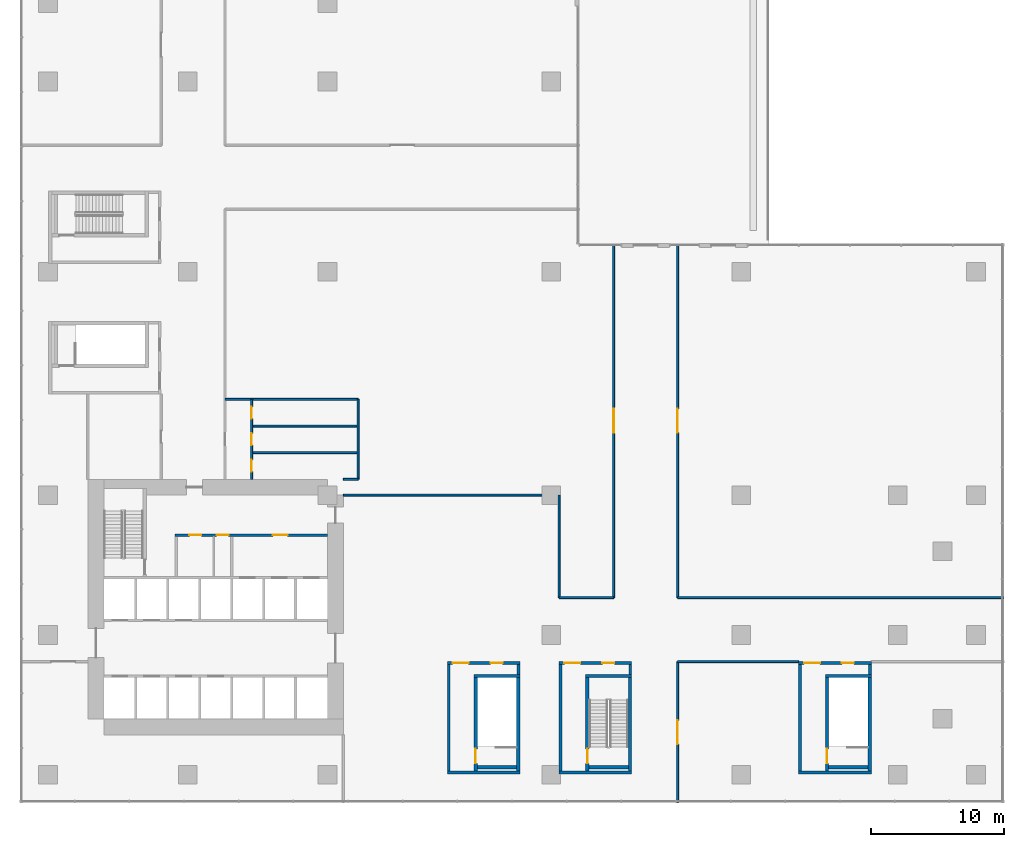
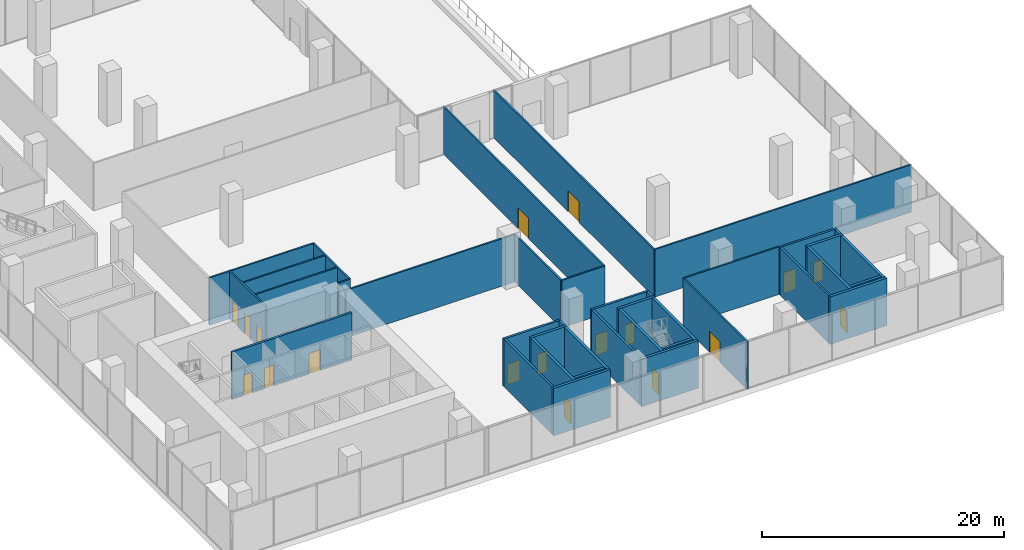
# One storey, part 14 of 21: 39 walls, 18 doors, 18 openings.
"""IFC4 building model written with IfcOpenShell, lengths in metres."""

from ifc_helpers import new_model, si_unit, direction, frame, frame_2d, origin, place, context, subcontext, project, spatial, rectangle, extrude, source, transform, mapped, material, layer, layer_set, type_object, element, fill, save


model = new_model("IFC4")

# Units and contexts
model_context = context("Model", 3, precision=1e-05, world=origin(), true_north=direction((0.0, 1.0)))
body_context = subcontext(model_context, "Body", "Model", "MODEL_VIEW")
ifc_project = project(units=[si_unit("LENGTHUNIT", "METRE"), si_unit("AREAUNIT", "SQUARE_METRE"), si_unit("VOLUMEUNIT", "CUBIC_METRE"), si_unit("PLANEANGLEUNIT", "RADIAN"), si_unit("MASSUNIT", "GRAM", prefix="KILO")], contexts=[model_context])

# Site, building, storey
site_placement = place(None, origin())
site = spatial("IfcSite", under=ifc_project, at=site_placement, CompositionType="ELEMENT")
building_placement = place(site_placement, origin())
building = spatial("IfcBuilding", under=site, at=building_placement, Name="Aurelian Terraces", CompositionType="ELEMENT")
storey_placement = place(building_placement, frame((0.0, 0.0, 29.1)))
storey = spatial("IfcBuildingStorey", under=building, at=storey_placement, Name="L05", CompositionType="ELEMENT", Elevation=29.1)

# Wall, opening, door
ifc_material_1 = material(Name="Concrete fc' 40 MPa", Category="concrete")
ifc_layer_1 = layer(ifc_material_1, 0.25)
ifc_layer_set_1 = layer_set([ifc_layer_1], Name="Stair enclosure wall 250")
wall_type_1 = type_object("IfcWallType", Name="Stair enclosure wall 250", PredefinedType="SOLIDWALL", material=ifc_layer_set_1)
shared_shape_1 = source(origin(), body_context, "Body", "SweptSolid", [
    extrude(rectangle(XDim=7.0, YDim=0.25, at=frame_2d((3.5, 0.0))), origin(), (0.0, 0.0, 1.0), 4.8),
])
wall_1_placement = place(storey_placement, frame((40.525, 0.3, 0.0), z_axis=(0.0, 0.0, 1.0), x_axis=(0.0, 1.0, 0.0)))
wall_1 = element("IfcWall", 1, at=wall_1_placement, inside=storey, type_object=wall_type_1, Name="L05 core wall ST-S2-W", PredefinedType="SOLIDWALL", context=body_context, shape_type="MappedRepresentation", body=[
    mapped(shared_shape_1, transform((0.0, 0.0, 0.0), scale=1.0)),
])
shared_shape_2 = source(origin(), body_context, "Body", "SweptSolid", [
    extrude(rectangle(XDim=1.1, YDim=2.1, at=frame_2d((0.55, 1.05))), frame((0.0, 0.135, 0.0), z_axis=(0.0, -1.0, 0.0), x_axis=(1.0, 0.0, 0.0)), (0.0, 0.0, 1.0), 0.27),
])
opening_1_placement = place(wall_1_placement, frame((0.55, 0.0, 0.0)))
opening_1 = element("IfcOpeningElement", 2, at=opening_1_placement, cuts=wall_1, Name="Opening 60814", PredefinedType="OPENING", context=body_context, shape_type="MappedRepresentation", body=[
    mapped(shared_shape_2, transform((0.0, 0.0, 0.0), scale=1.0)),
])
ifc_material_2 = material(Name="Steel door leaf", Category="steel")
door_type_1 = type_object("IfcDoorType", Name="Core fire door 1100x2100", OperationType="SINGLE_SWING_LEFT", PredefinedType="DOOR", material=ifc_material_2)
shared_shape_3 = source(origin(), body_context, "Body", "SweptSolid", [
    extrude(rectangle(XDim=1.1, YDim=2.1, at=frame_2d((0.55, 1.05))), frame((0.0, 0.025, 0.0), z_axis=(0.0, -1.0, 0.0), x_axis=(1.0, 0.0, 0.0)), (0.0, 0.0, 1.0), 0.05),
])
door_1_placement = place(opening_1_placement, origin())
door_1 = element("IfcDoor", 3, at=door_1_placement, inside=storey, type_object=door_type_1, Name="Stair door 60814", OperationType="SINGLE_SWING_LEFT", OverallHeight=2.1, OverallWidth=1.1, PredefinedType="DOOR", context=body_context, shape_type="MappedRepresentation", body=[
    mapped(shared_shape_3, transform((0.0, 0.0, 0.0), scale=1.0)),
])
fill(opening_1, door_1)

# Wall
wall_2_placement = place(storey_placement, frame((43.725, 0.3, 0.0), z_axis=(0.0, 0.0, 1.0), x_axis=(0.0, 1.0, 0.0)))
element("IfcWall", 4, at=wall_2_placement, inside=storey, type_object=wall_type_1, Name="L05 core wall ST-S2-E", PredefinedType="SOLIDWALL", context=body_context, shape_type="MappedRepresentation", body=[
    mapped(shared_shape_1, transform((0.0, 0.0, 0.0), scale=1.0)),
])

# Wall, opening, door
wall_3_placement = place(storey_placement, frame((58.525, 0.3, 0.0), z_axis=(0.0, 0.0, 1.0), x_axis=(0.0, 1.0, 0.0)))
wall_3 = element("IfcWall", 5, at=wall_3_placement, inside=storey, type_object=wall_type_1, Name="L05 core wall ST-S6-W", PredefinedType="SOLIDWALL", context=body_context, shape_type="MappedRepresentation", body=[
    mapped(shared_shape_1, transform((0.0, 0.0, 0.0), scale=1.0)),
])
opening_2_placement = place(wall_3_placement, frame((0.55, 0.0, 0.0)))
opening_2 = element("IfcOpeningElement", 6, at=opening_2_placement, cuts=wall_3, Name="Opening 60826", PredefinedType="OPENING", context=body_context, shape_type="MappedRepresentation", body=[
    mapped(shared_shape_2, transform((0.0, 0.0, 0.0), scale=1.0)),
])
door_2_placement = place(opening_2_placement, origin())
door_2 = element("IfcDoor", 7, at=door_2_placement, inside=storey, type_object=door_type_1, Name="Stair door 60826", OperationType="SINGLE_SWING_LEFT", OverallHeight=2.1, OverallWidth=1.1, PredefinedType="DOOR", context=body_context, shape_type="MappedRepresentation", body=[
    mapped(shared_shape_3, transform((0.0, 0.0, 0.0), scale=1.0)),
])
fill(opening_2, door_2)

# Wall
wall_4_placement = place(storey_placement, frame((61.725, 0.3, 0.0), z_axis=(0.0, 0.0, 1.0), x_axis=(0.0, 1.0, 0.0)))
element("IfcWall", 8, at=wall_4_placement, inside=storey, type_object=wall_type_1, Name="L05 core wall ST-S6-E", PredefinedType="SOLIDWALL", context=body_context, shape_type="MappedRepresentation", body=[
    mapped(shared_shape_1, transform((0.0, 0.0, 0.0), scale=1.0)),
])

# Wall, opening, door
wall_5_placement = place(storey_placement, frame((32.125, 0.3, 0.0), z_axis=(0.0, 0.0, 1.0), x_axis=(0.0, 1.0, 0.0)))
wall_5 = element("IfcWall", 9, at=wall_5_placement, inside=storey, type_object=wall_type_1, Name="L05 core wall ST-S7-W", PredefinedType="SOLIDWALL", context=body_context, shape_type="MappedRepresentation", body=[
    mapped(shared_shape_1, transform((0.0, 0.0, 0.0), scale=1.0)),
])
opening_3_placement = place(wall_5_placement, frame((0.55, 0.0, 0.0)))
opening_3 = element("IfcOpeningElement", 10, at=opening_3_placement, cuts=wall_5, Name="Opening 60829", PredefinedType="OPENING", context=body_context, shape_type="MappedRepresentation", body=[
    mapped(shared_shape_2, transform((0.0, 0.0, 0.0), scale=1.0)),
])
door_type_2 = type_object("IfcDoorType", Name="Core fire door 1100x2100 right", OperationType="SINGLE_SWING_RIGHT", PredefinedType="DOOR", material=ifc_material_2)
door_3_placement = place(opening_3_placement, origin())
door_3 = element("IfcDoor", 11, at=door_3_placement, inside=storey, type_object=door_type_2, Name="Stair door 60829", OperationType="SINGLE_SWING_RIGHT", OverallHeight=2.1, OverallWidth=1.1, PredefinedType="DOOR", context=body_context, shape_type="MappedRepresentation", body=[
    mapped(shared_shape_3, transform((0.0, 0.0, 0.0), scale=1.0)),
])
fill(opening_3, door_3)

# Walls
wall_6_placement = place(storey_placement, frame((35.325, 0.3, 0.0), z_axis=(0.0, 0.0, 1.0), x_axis=(0.0, 1.0, 0.0)))
element("IfcWall", 12, at=wall_6_placement, inside=storey, type_object=wall_type_1, Name="L05 core wall ST-S7-E", PredefinedType="SOLIDWALL", context=body_context, shape_type="MappedRepresentation", body=[
    mapped(shared_shape_1, transform((0.0, 0.0, 0.0), scale=1.0)),
])
shared_shape_4 = source(origin(), body_context, "Body", "SweptSolid", [
    extrude(rectangle(XDim=3.45, YDim=0.25, at=frame_2d((1.725, 0.0))), origin(), (0.0, 0.0, 1.0), 4.8),
])
for number, where, z_axis, x_axis, name in (
    (13, (40.4, 7.425, 0.0), (0.0, 0.0, 1.0), (1.0, 0.0, 0.0), "L05 core wall ST-S2-N"),
    (14, (58.4, 7.425, 0.0), (0.0, 0.0, 1.0), (1.0, 0.0, 0.0), "L05 core wall ST-S6-N"),
    (15, (32.0, 7.425, 0.0), (0.0, 0.0, 1.0), (1.0, 0.0, 0.0), "L05 core wall ST-S7-N"),
):
    element("IfcWall", number, at=place(storey_placement, frame(where, z_axis=z_axis, x_axis=x_axis)), inside=storey, type_object=wall_type_1, Name=name, PredefinedType="SOLIDWALL", context=body_context, shape_type="MappedRepresentation", body=[
        mapped(shared_shape_4, transform((0.0, 0.0, 0.0), scale=1.0)),
    ])
shared_shape_5 = source(origin(), body_context, "Body", "SweptSolid", [
    extrude(rectangle(XDim=2.95, YDim=0.25, at=frame_2d((1.475, 0.0))), origin(), (0.0, 0.0, 1.0), 4.8),
])
for number, where, z_axis, x_axis, name in (
    (16, (40.65, 0.575, 0.0), (0.0, 0.0, 1.0), (1.0, 0.0, 0.0), "L05 core wall ST-S2-SS"),
    (17, (58.65, 0.575, 0.0), (0.0, 0.0, 1.0), (1.0, 0.0, 0.0), "L05 core wall ST-S6-SS"),
    (18, (32.25, 0.575, 0.0), (0.0, 0.0, 1.0), (1.0, 0.0, 0.0), "L05 core wall ST-S7-SS"),
):
    element("IfcWall", number, at=place(storey_placement, frame(where, z_axis=z_axis, x_axis=x_axis)), inside=storey, type_object=wall_type_1, Name=name, PredefinedType="SOLIDWALL", context=body_context, shape_type="MappedRepresentation", body=[
        mapped(shared_shape_5, transform((0.0, 0.0, 0.0), scale=1.0)),
    ])
ifc_material_3 = material(Name="Gypsum board on steel studs", Category="steel")
ifc_layer_2 = layer(ifc_material_3, 0.2)
ifc_layer_set_2 = layer_set([ifc_layer_2], Name="Core partition 200")
wall_type_2 = type_object("IfcWallType", Name="Core partition 200", PredefinedType="PARTITIONING", material=ifc_layer_set_2)
shared_shape_6 = source(origin(), body_context, "Body", "SweptSolid", [
    extrude(rectangle(XDim=8.0, YDim=0.2, at=frame_2d((4.0, 0.0))), origin(), (0.0, 0.0, 1.0), 4.8),
])
for number, where, z_axis, x_axis, name in (
    (19, (38.5, 0.3, 0.0), (0.0, 0.0, 1.0), (0.0, 1.0, 0.0), "L05 core wall ST-S2-VW"),
    (20, (56.5, 0.3, 0.0), (0.0, 0.0, 1.0), (0.0, 1.0, 0.0), "L05 core wall ST-S6-VW"),
    (21, (30.1, 0.3, 0.0), (0.0, 0.0, 1.0), (0.0, 1.0, 0.0), "L05 core wall ST-S7-VW"),
):
    element("IfcWall", number, at=place(storey_placement, frame(where, z_axis=z_axis, x_axis=x_axis)), inside=storey, type_object=wall_type_2, Name=name, PredefinedType="PARTITIONING", context=body_context, shape_type="MappedRepresentation", body=[
        mapped(shared_shape_6, transform((0.0, 0.0, 0.0), scale=1.0)),
    ])

# Wall, openings, doors
shared_shape_7 = source(origin(), body_context, "Body", "SweptSolid", [
    extrude(rectangle(XDim=5.45, YDim=0.2, at=frame_2d((2.725, 0.0))), origin(), (0.0, 0.0, 1.0), 4.8),
])
wall_7_placement = place(storey_placement, frame((38.4, 8.4, 0.0), z_axis=(0.0, 0.0, 1.0), x_axis=(1.0, 0.0, 0.0)))
wall_7 = element("IfcWall", 22, at=wall_7_placement, inside=storey, type_object=wall_type_2, Name="L05 core wall ST-S2-BN", PredefinedType="PARTITIONING", context=body_context, shape_type="MappedRepresentation", body=[
    mapped(shared_shape_7, transform((0.0, 0.0, 0.0), scale=1.0)),
])
shared_shape_8 = source(origin(), body_context, "Body", "SweptSolid", [
    extrude(rectangle(XDim=1.2, YDim=2.1, at=frame_2d((0.6, 1.05))), frame((0.0, 0.11, 0.0), z_axis=(0.0, -1.0, 0.0), x_axis=(1.0, 0.0, 0.0)), (0.0, 0.0, 1.0), 0.22),
])
opening_4_placement = place(wall_7_placement, frame((0.4, 0.0, 0.0)))
opening_4 = element("IfcOpeningElement", 23, at=opening_4_placement, cuts=wall_7, Name="Opening 60815", PredefinedType="OPENING", context=body_context, shape_type="MappedRepresentation", body=[
    mapped(shared_shape_8, transform((0.0, 0.0, 0.0), scale=1.0)),
])
shared_shape_9 = source(origin(), body_context, "Body", "SweptSolid", [
    extrude(rectangle(XDim=0.9, YDim=2.1, at=frame_2d((0.45, 1.05))), frame((0.0, 0.11, 0.0), z_axis=(0.0, -1.0, 0.0), x_axis=(1.0, 0.0, 0.0)), (0.0, 0.0, 1.0), 0.22),
])
opening_5_placement = place(wall_7_placement, frame((3.25, 0.0, 0.0)))
opening_5 = element("IfcOpeningElement", 24, at=opening_5_placement, cuts=wall_7, Name="Opening 60816", PredefinedType="OPENING", context=body_context, shape_type="MappedRepresentation", body=[
    mapped(shared_shape_9, transform((0.0, 0.0, 0.0), scale=1.0)),
])
door_type_3 = type_object("IfcDoorType", Name="Core riser door 900x2100", OperationType="SINGLE_SWING_LEFT", PredefinedType="DOOR", material=ifc_material_2)
shared_shape_10 = source(origin(), body_context, "Body", "SweptSolid", [
    extrude(rectangle(XDim=0.9, YDim=2.1, at=frame_2d((0.45, 1.05))), frame((0.0, 0.025, 0.0), z_axis=(0.0, -1.0, 0.0), x_axis=(1.0, 0.0, 0.0)), (0.0, 0.0, 1.0), 0.05),
])
door_4_placement = place(opening_5_placement, origin())
door_4 = element("IfcDoor", 25, at=door_4_placement, inside=storey, type_object=door_type_3, Name="Riser door 60816", OperationType="SINGLE_SWING_LEFT", OverallHeight=2.1, OverallWidth=0.9, PredefinedType="DOOR", context=body_context, shape_type="MappedRepresentation", body=[
    mapped(shared_shape_10, transform((0.0, 0.0, 0.0), scale=1.0)),
])
fill(opening_5, door_4)
door_type_4 = type_object("IfcDoorType", Name="Core fire door 1200x2100 right", OperationType="SINGLE_SWING_RIGHT", PredefinedType="DOOR", material=ifc_material_2)
shared_shape_11 = source(origin(), body_context, "Body", "SweptSolid", [
    extrude(rectangle(XDim=1.2, YDim=2.1, at=frame_2d((0.6, 1.05))), frame((0.0, 0.025, 0.0), z_axis=(0.0, -1.0, 0.0), x_axis=(1.0, 0.0, 0.0)), (0.0, 0.0, 1.0), 0.05),
])
door_5_placement = place(opening_4_placement, origin())
door_5 = element("IfcDoor", 26, at=door_5_placement, inside=storey, type_object=door_type_4, Name="Vestibule door 60815", OperationType="SINGLE_SWING_RIGHT", OverallHeight=2.1, OverallWidth=1.2, PredefinedType="DOOR", context=body_context, shape_type="MappedRepresentation", body=[
    mapped(shared_shape_11, transform((0.0, 0.0, 0.0), scale=1.0)),
])
fill(opening_4, door_5)

wall_8_placement = place(storey_placement, frame((56.4, 8.4, 0.0), z_axis=(0.0, 0.0, 1.0), x_axis=(1.0, 0.0, 0.0)))
wall_8 = element("IfcWall", 27, at=wall_8_placement, inside=storey, type_object=wall_type_2, Name="L05 core wall ST-S6-BN", PredefinedType="PARTITIONING", context=body_context, shape_type="MappedRepresentation", body=[
    mapped(shared_shape_7, transform((0.0, 0.0, 0.0), scale=1.0)),
])
opening_6_placement = place(wall_8_placement, frame((0.4, 0.0, 0.0)))
opening_6 = element("IfcOpeningElement", 28, at=opening_6_placement, cuts=wall_8, Name="Opening 60827", PredefinedType="OPENING", context=body_context, shape_type="MappedRepresentation", body=[
    mapped(shared_shape_8, transform((0.0, 0.0, 0.0), scale=1.0)),
])
opening_7_placement = place(wall_8_placement, frame((3.25, 0.0, 0.0)))
opening_7 = element("IfcOpeningElement", 29, at=opening_7_placement, cuts=wall_8, Name="Opening 60828", PredefinedType="OPENING", context=body_context, shape_type="MappedRepresentation", body=[
    mapped(shared_shape_9, transform((0.0, 0.0, 0.0), scale=1.0)),
])
door_6_placement = place(opening_7_placement, origin())
door_6 = element("IfcDoor", 30, at=door_6_placement, inside=storey, type_object=door_type_3, Name="Riser door 60828", OperationType="SINGLE_SWING_LEFT", OverallHeight=2.1, OverallWidth=0.9, PredefinedType="DOOR", context=body_context, shape_type="MappedRepresentation", body=[
    mapped(shared_shape_10, transform((0.0, 0.0, 0.0), scale=1.0)),
])
fill(opening_7, door_6)
door_7_placement = place(opening_6_placement, origin())
door_7 = element("IfcDoor", 31, at=door_7_placement, inside=storey, type_object=door_type_4, Name="Vestibule door 60827", OperationType="SINGLE_SWING_RIGHT", OverallHeight=2.1, OverallWidth=1.2, PredefinedType="DOOR", context=body_context, shape_type="MappedRepresentation", body=[
    mapped(shared_shape_11, transform((0.0, 0.0, 0.0), scale=1.0)),
])
fill(opening_6, door_7)

wall_9_placement = place(storey_placement, frame((30.0, 8.4, 0.0), z_axis=(0.0, 0.0, 1.0), x_axis=(1.0, 0.0, 0.0)))
wall_9 = element("IfcWall", 32, at=wall_9_placement, inside=storey, type_object=wall_type_2, Name="L05 core wall ST-S7-BN", PredefinedType="PARTITIONING", context=body_context, shape_type="MappedRepresentation", body=[
    mapped(shared_shape_7, transform((0.0, 0.0, 0.0), scale=1.0)),
])
opening_8_placement = place(wall_9_placement, frame((0.4, 0.0, 0.0)))
opening_8 = element("IfcOpeningElement", 33, at=opening_8_placement, cuts=wall_9, Name="Opening 60830", PredefinedType="OPENING", context=body_context, shape_type="MappedRepresentation", body=[
    mapped(shared_shape_8, transform((0.0, 0.0, 0.0), scale=1.0)),
])
opening_9_placement = place(wall_9_placement, frame((3.25, 0.0, 0.0)))
opening_9 = element("IfcOpeningElement", 34, at=opening_9_placement, cuts=wall_9, Name="Opening 60831", PredefinedType="OPENING", context=body_context, shape_type="MappedRepresentation", body=[
    mapped(shared_shape_9, transform((0.0, 0.0, 0.0), scale=1.0)),
])
door_type_5 = type_object("IfcDoorType", Name="Core riser door 900x2100 right", OperationType="SINGLE_SWING_RIGHT", PredefinedType="DOOR", material=ifc_material_2)
door_8_placement = place(opening_9_placement, origin())
door_8 = element("IfcDoor", 35, at=door_8_placement, inside=storey, type_object=door_type_5, Name="Riser door 60831", OperationType="SINGLE_SWING_RIGHT", OverallHeight=2.1, OverallWidth=0.9, PredefinedType="DOOR", context=body_context, shape_type="MappedRepresentation", body=[
    mapped(shared_shape_10, transform((0.0, 0.0, 0.0), scale=1.0)),
])
fill(opening_9, door_8)
door_type_6 = type_object("IfcDoorType", Name="Core fire door 1200x2100", OperationType="SINGLE_SWING_LEFT", PredefinedType="DOOR", material=ifc_material_2)
door_9_placement = place(opening_8_placement, origin())
door_9 = element("IfcDoor", 36, at=door_9_placement, inside=storey, type_object=door_type_6, Name="Vestibule door 60830", OperationType="SINGLE_SWING_LEFT", OverallHeight=2.1, OverallWidth=1.2, PredefinedType="DOOR", context=body_context, shape_type="MappedRepresentation", body=[
    mapped(shared_shape_11, transform((0.0, 0.0, 0.0), scale=1.0)),
])
fill(opening_8, door_9)

# Walls
shared_shape_12 = source(origin(), body_context, "Body", "SweptSolid", [
    extrude(rectangle(XDim=0.75, YDim=0.2, at=frame_2d((0.375, 0.0))), origin(), (0.0, 0.0, 1.0), 4.8),
])
for number, where, z_axis, x_axis, name in (
    (37, (43.75, 7.55, 0.0), (0.0, 0.0, 1.0), (0.0, 1.0, 0.0), "L05 core wall ST-S2-RE"),
    (38, (61.75, 7.55, 0.0), (0.0, 0.0, 1.0), (0.0, 1.0, 0.0), "L05 core wall ST-S6-RE"),
    (39, (35.35, 7.55, 0.0), (0.0, 0.0, 1.0), (0.0, 1.0, 0.0), "L05 core wall ST-S7-RE"),
):
    element("IfcWall", number, at=place(storey_placement, frame(where, z_axis=z_axis, x_axis=x_axis)), inside=storey, type_object=wall_type_2, Name=name, PredefinedType="PARTITIONING", context=body_context, shape_type="MappedRepresentation", body=[
        mapped(shared_shape_12, transform((0.0, 0.0, 0.0), scale=1.0)),
    ])
shared_shape_13 = source(origin(), body_context, "Body", "SweptSolid", [
    extrude(rectangle(XDim=5.45, YDim=0.25, at=frame_2d((2.725, 0.0))), origin(), (0.0, 0.0, 1.0), 4.8),
])
for number, where, z_axis, x_axis, name in (
    (40, (38.4, 0.175, 0.0), (0.0, 0.0, 1.0), (1.0, 0.0, 0.0), "L05 core wall ST-S2-S"),
    (41, (56.4, 0.175, 0.0), (0.0, 0.0, 1.0), (1.0, 0.0, 0.0), "L05 core wall ST-S6-S"),
    (42, (30.0, 0.175, 0.0), (0.0, 0.0, 1.0), (1.0, 0.0, 0.0), "L05 core wall ST-S7-S"),
):
    element("IfcWall", number, at=place(storey_placement, frame(where, z_axis=z_axis, x_axis=x_axis)), inside=storey, type_object=wall_type_1, Name=name, PredefinedType="SOLIDWALL", context=body_context, shape_type="MappedRepresentation", body=[
        mapped(shared_shape_13, transform((0.0, 0.0, 0.0), scale=1.0)),
    ])

# Wall, openings, doors
shared_shape_14 = source(origin(), body_context, "Body", "SweptSolid", [
    extrude(rectangle(XDim=11.45, YDim=0.2, at=frame_2d((5.725, 0.0))), origin(), (0.0, 0.0, 1.0), 4.8),
])
wall_10_placement = place(storey_placement, frame((9.55, 18.0, 0.0), z_axis=(0.0, 0.0, 1.0), x_axis=(1.0, 0.0, 0.0)))
wall_10 = element("IfcWall", 43, at=wall_10_placement, inside=storey, type_object=wall_type_2, Name="L05 core wall CP-NORTH", PredefinedType="PARTITIONING", context=body_context, shape_type="MappedRepresentation", body=[
    mapped(shared_shape_14, transform((0.0, 0.0, 0.0), scale=1.0)),
])
opening_10_placement = place(wall_10_placement, frame((1.075, 0.0, 0.0)))
opening_10 = element("IfcOpeningElement", 44, at=opening_10_placement, cuts=wall_10, Name="Opening 60811", PredefinedType="OPENING", context=body_context, shape_type="MappedRepresentation", body=[
    mapped(shared_shape_9, transform((0.0, 0.0, 0.0), scale=1.0)),
])
opening_11_placement = place(wall_10_placement, frame((3.125, 0.0, 0.0)))
opening_11 = element("IfcOpeningElement", 45, at=opening_11_placement, cuts=wall_10, Name="Opening 60812", PredefinedType="OPENING", context=body_context, shape_type="MappedRepresentation", body=[
    mapped(shared_shape_9, transform((0.0, 0.0, 0.0), scale=1.0)),
])
shared_shape_15 = source(origin(), body_context, "Body", "SweptSolid", [
    extrude(rectangle(XDim=1.1, YDim=2.1, at=frame_2d((0.55, 1.05))), frame((0.0, 0.11, 0.0), z_axis=(0.0, -1.0, 0.0), x_axis=(1.0, 0.0, 0.0)), (0.0, 0.0, 1.0), 0.22),
])
opening_12_placement = place(wall_10_placement, frame((7.35, 0.0, 0.0)))
opening_12 = element("IfcOpeningElement", 46, at=opening_12_placement, cuts=wall_10, Name="Opening 60813", PredefinedType="OPENING", context=body_context, shape_type="MappedRepresentation", body=[
    mapped(shared_shape_15, transform((0.0, 0.0, 0.0), scale=1.0)),
])
door_type_7 = type_object("IfcDoorType", Name="Core service door 900x2100 right", OperationType="SINGLE_SWING_RIGHT", PredefinedType="DOOR", material=ifc_material_2)
door_10_placement = place(opening_10_placement, origin())
door_10 = element("IfcDoor", 47, at=door_10_placement, inside=storey, type_object=door_type_7, Name="Room door 60811", OperationType="SINGLE_SWING_RIGHT", OverallHeight=2.1, OverallWidth=0.9, PredefinedType="DOOR", context=body_context, shape_type="MappedRepresentation", body=[
    mapped(shared_shape_10, transform((0.0, 0.0, 0.0), scale=1.0)),
])
fill(opening_10, door_10)
door_11_placement = place(opening_11_placement, origin())
door_11 = element("IfcDoor", 48, at=door_11_placement, inside=storey, type_object=door_type_3, Name="Room door 60812", OperationType="SINGLE_SWING_LEFT", OverallHeight=2.1, OverallWidth=0.9, PredefinedType="DOOR", context=body_context, shape_type="MappedRepresentation", body=[
    mapped(shared_shape_10, transform((0.0, 0.0, 0.0), scale=1.0)),
])
fill(opening_11, door_11)
door_12_placement = place(opening_12_placement, origin())
door_12 = element("IfcDoor", 49, at=door_12_placement, inside=storey, type_object=door_type_2, Name="Ff lobby door 60813", OperationType="SINGLE_SWING_RIGHT", OverallHeight=2.1, OverallWidth=1.1, PredefinedType="DOOR", context=body_context, shape_type="MappedRepresentation", body=[
    mapped(shared_shape_3, transform((0.0, 0.0, 0.0), scale=1.0)),
])
fill(opening_12, door_12)

# Walls
ifc_layer_3 = layer(ifc_material_3, 0.15)
ifc_layer_set_3 = layer_set([ifc_layer_3], Name="Special partition 150")
wall_type_3 = type_object("IfcWallType", Name="Special partition 150", PredefinedType="PARTITIONING", material=ifc_layer_set_3)
shared_shape_16 = source(origin(), body_context, "Body", "SweptSolid", [
    extrude(rectangle(XDim=8.0, YDim=0.15, at=frame_2d((4.0, 0.0))), origin(), (0.0, 0.0, 1.0), 4.8),
])
for number, where, z_axis, x_axis, name in (
    (50, (15.3, 24.2, 0.0), (0.0, 0.0, 1.0), (1.0, 0.0, 0.0), "L05 partition W08"),
    (51, (15.3, 26.2, 0.0), (0.0, 0.0, 1.0), (1.0, 0.0, 0.0), "L05 partition W09"),
):
    element("IfcWall", number, at=place(storey_placement, frame(where, z_axis=z_axis, x_axis=x_axis)), inside=storey, type_object=wall_type_3, Name=name, PredefinedType="PARTITIONING", context=body_context, shape_type="MappedRepresentation", body=[
        mapped(shared_shape_16, transform((0.0, 0.0, 0.0), scale=1.0)),
    ])

# Wall, opening, door
shared_shape_17 = source(origin(), body_context, "Body", "SweptSolid", [
    extrude(rectangle(XDim=10.6, YDim=0.15, at=frame_2d((5.3, 0.0))), origin(), (0.0, 0.0, 1.0), 4.8),
])
wall_11_placement = place(storey_placement, frame((47.3, -2.1, 0.0), z_axis=(0.0, 0.0, 1.0), x_axis=(0.0, 1.0, 0.0)))
wall_11 = element("IfcWall", 52, at=wall_11_placement, inside=storey, type_object=wall_type_3, Name="L05 partition W25", PredefinedType="PARTITIONING", context=body_context, shape_type="MappedRepresentation", body=[
    mapped(shared_shape_17, transform((0.0, 0.0, 0.0), scale=1.0)),
])
shared_shape_18 = source(origin(), body_context, "Body", "SweptSolid", [
    extrude(rectangle(XDim=1.8, YDim=2.1, at=frame_2d((0.9, 1.05))), frame((0.0, 0.085, 0.0), z_axis=(0.0, -1.0, 0.0), x_axis=(1.0, 0.0, 0.0)), (0.0, 0.0, 1.0), 0.17),
])
opening_13_placement = place(wall_11_placement, frame((4.4, 0.0, 0.0)))
opening_13 = element("IfcOpeningElement", 53, at=opening_13_placement, cuts=wall_11, Name="Opening 70810", PredefinedType="OPENING", context=body_context, shape_type="MappedRepresentation", body=[
    mapped(shared_shape_18, transform((0.0, 0.0, 0.0), scale=1.0)),
])
ifc_material_4 = material(Name="Timber door leaf", Category="wood")
door_type_8 = type_object("IfcDoorType", Name="Special double door 1800x2100", OperationType="DOUBLE_DOOR_SINGLE_SWING", PredefinedType="DOOR", material=ifc_material_4)
shared_shape_19 = source(origin(), body_context, "Body", "SweptSolid", [
    extrude(rectangle(XDim=1.8, YDim=2.1, at=frame_2d((0.9, 1.05))), frame((0.0, 0.025, 0.0), z_axis=(0.0, -1.0, 0.0), x_axis=(1.0, 0.0, 0.0)), (0.0, 0.0, 1.0), 0.05),
])
door_13_placement = place(opening_13_placement, origin())
door_13 = element("IfcDoor", 54, at=door_13_placement, inside=storey, type_object=door_type_8, Name="Door 70810", OperationType="DOUBLE_DOOR_SINGLE_SWING", OverallHeight=2.1, OverallWidth=1.8, PredefinedType="DOOR", context=body_context, shape_type="MappedRepresentation", body=[
    mapped(shared_shape_19, transform((0.0, 0.0, 0.0), scale=1.0)),
])
fill(opening_13, door_13)

# Wall, openings, doors
shared_shape_20 = source(origin(), body_context, "Body", "SweptSolid", [
    extrude(rectangle(XDim=6.0, YDim=0.15, at=frame_2d((3.0, 0.0))), origin(), (0.0, 0.0, 1.0), 4.8),
])
wall_12_placement = place(storey_placement, frame((15.3, 22.2, 0.0), z_axis=(0.0, 0.0, 1.0), x_axis=(0.0, 1.0, 0.0)))
wall_12 = element("IfcWall", 55, at=wall_12_placement, inside=storey, type_object=wall_type_3, Name="L05 partition W20", PredefinedType="PARTITIONING", context=body_context, shape_type="MappedRepresentation", body=[
    mapped(shared_shape_20, transform((0.0, 0.0, 0.0), scale=1.0)),
])
shared_shape_21 = source(origin(), body_context, "Body", "SweptSolid", [
    extrude(rectangle(XDim=0.9, YDim=2.1, at=frame_2d((0.45, 1.05))), frame((0.0, 0.085, 0.0), z_axis=(0.0, -1.0, 0.0), x_axis=(1.0, 0.0, 0.0)), (0.0, 0.0, 1.0), 0.17),
])
opening_14_placement = place(wall_12_placement, frame((0.55, 0.0, 0.0)))
opening_14 = element("IfcOpeningElement", 56, at=opening_14_placement, cuts=wall_12, Name="Opening 70806", PredefinedType="OPENING", context=body_context, shape_type="MappedRepresentation", body=[
    mapped(shared_shape_21, transform((0.0, 0.0, 0.0), scale=1.0)),
])
opening_15_placement = place(wall_12_placement, frame((2.55, 0.0, 0.0)))
opening_15 = element("IfcOpeningElement", 57, at=opening_15_placement, cuts=wall_12, Name="Opening 70807", PredefinedType="OPENING", context=body_context, shape_type="MappedRepresentation", body=[
    mapped(shared_shape_21, transform((0.0, 0.0, 0.0), scale=1.0)),
])
opening_16_placement = place(wall_12_placement, frame((4.55, 0.0, 0.0)))
opening_16 = element("IfcOpeningElement", 58, at=opening_16_placement, cuts=wall_12, Name="Opening 70808", PredefinedType="OPENING", context=body_context, shape_type="MappedRepresentation", body=[
    mapped(shared_shape_21, transform((0.0, 0.0, 0.0), scale=1.0)),
])
door_type_9 = type_object("IfcDoorType", Name="Special door 900x2100", OperationType="SINGLE_SWING_LEFT", PredefinedType="DOOR", material=ifc_material_4)
door_14_placement = place(opening_14_placement, origin())
door_14 = element("IfcDoor", 59, at=door_14_placement, inside=storey, type_object=door_type_9, Name="Door 70806", OperationType="SINGLE_SWING_LEFT", OverallHeight=2.1, OverallWidth=0.9, PredefinedType="DOOR", context=body_context, shape_type="MappedRepresentation", body=[
    mapped(shared_shape_10, transform((0.0, 0.0, 0.0), scale=1.0)),
])
fill(opening_14, door_14)
door_type_10 = type_object("IfcDoorType", Name="Special door 900x2100 right", OperationType="SINGLE_SWING_RIGHT", PredefinedType="DOOR", material=ifc_material_4)
door_15_placement = place(opening_15_placement, origin())
door_15 = element("IfcDoor", 60, at=door_15_placement, inside=storey, type_object=door_type_10, Name="Door 70807", OperationType="SINGLE_SWING_RIGHT", OverallHeight=2.1, OverallWidth=0.9, PredefinedType="DOOR", context=body_context, shape_type="MappedRepresentation", body=[
    mapped(shared_shape_10, transform((0.0, 0.0, 0.0), scale=1.0)),
])
fill(opening_15, door_15)
door_16_placement = place(opening_16_placement, origin())
door_16 = element("IfcDoor", 61, at=door_16_placement, inside=storey, type_object=door_type_9, Name="Door 70808", OperationType="SINGLE_SWING_LEFT", OverallHeight=2.1, OverallWidth=0.9, PredefinedType="DOOR", context=body_context, shape_type="MappedRepresentation", body=[
    mapped(shared_shape_10, transform((0.0, 0.0, 0.0), scale=1.0)),
])
fill(opening_16, door_16)

# Walls
wall_13_placement = place(storey_placement, frame((23.3, 22.2, 0.0), z_axis=(0.0, 0.0, 1.0), x_axis=(0.0, 1.0, 0.0)))
element("IfcWall", 62, at=wall_13_placement, inside=storey, type_object=wall_type_3, Name="L05 partition W22", PredefinedType="PARTITIONING", context=body_context, shape_type="MappedRepresentation", body=[
    mapped(shared_shape_20, transform((0.0, 0.0, 0.0), scale=1.0)),
])
shared_shape_22 = source(origin(), body_context, "Body", "SweptSolid", [
    extrude(rectangle(XDim=9.1, YDim=0.15, at=frame_2d((4.55, 0.0))), origin(), (0.0, 0.0, 1.0), 4.8),
])
wall_14_placement = place(storey_placement, frame((47.3, 8.5, 0.0), z_axis=(0.0, 0.0, 1.0), x_axis=(1.0, 0.0, 0.0)))
element("IfcWall", 63, at=wall_14_placement, inside=storey, type_object=wall_type_3, Name="L05 partition W02", PredefinedType="PARTITIONING", context=body_context, shape_type="MappedRepresentation", body=[
    mapped(shared_shape_22, transform((0.0, 0.0, 0.0), scale=1.0)),
])
shared_shape_23 = source(origin(), body_context, "Body", "SweptSolid", [
    extrude(rectangle(XDim=4.1, YDim=0.15, at=frame_2d((2.05, 0.0))), origin(), (0.0, 0.0, 1.0), 4.8),
])
wall_15_placement = place(storey_placement, frame((38.4, 13.3, 0.0), z_axis=(0.0, 0.0, 1.0), x_axis=(1.0, 0.0, 0.0)))
element("IfcWall", 64, at=wall_15_placement, inside=storey, type_object=wall_type_3, Name="L05 partition W04", PredefinedType="PARTITIONING", context=body_context, shape_type="MappedRepresentation", body=[
    mapped(shared_shape_23, transform((0.0, 0.0, 0.0), scale=1.0)),
])
shared_shape_24 = source(origin(), body_context, "Body", "SweptSolid", [
    extrude(rectangle(XDim=16.2, YDim=0.15, at=frame_2d((8.1, 0.0))), origin(), (0.0, 0.0, 1.0), 4.8),
])
wall_16_placement = place(storey_placement, frame((22.2, 21.0, 0.0), z_axis=(0.0, 0.0, 1.0), x_axis=(1.0, 0.0, 0.0)))
element("IfcWall", 65, at=wall_16_placement, inside=storey, type_object=wall_type_3, Name="L05 partition W06", PredefinedType="PARTITIONING", context=body_context, shape_type="MappedRepresentation", body=[
    mapped(shared_shape_24, transform((0.0, 0.0, 0.0), scale=1.0)),
])
shared_shape_25 = source(origin(), body_context, "Body", "SweptSolid", [
    extrude(rectangle(XDim=1.1, YDim=0.15, at=frame_2d((0.55, 0.0))), origin(), (0.0, 0.0, 1.0), 4.8),
])
wall_17_placement = place(storey_placement, frame((22.2, 22.2, 0.0), z_axis=(0.0, 0.0, 1.0), x_axis=(1.0, 0.0, 0.0)))
element("IfcWall", 66, at=wall_17_placement, inside=storey, type_object=wall_type_3, Name="L05 partition W07", PredefinedType="PARTITIONING", context=body_context, shape_type="MappedRepresentation", body=[
    mapped(shared_shape_25, transform((0.0, 0.0, 0.0), scale=1.0)),
])
shared_shape_26 = source(origin(), body_context, "Body", "SweptSolid", [
    extrude(rectangle(XDim=10.0, YDim=0.15, at=frame_2d((5.0, 0.0))), origin(), (0.0, 0.0, 1.0), 4.8),
])
wall_18_placement = place(storey_placement, frame((13.3, 28.2, 0.0), z_axis=(0.0, 0.0, 1.0), x_axis=(1.0, 0.0, 0.0)))
element("IfcWall", 67, at=wall_18_placement, inside=storey, type_object=wall_type_3, Name="L05 partition W10", PredefinedType="PARTITIONING", context=body_context, shape_type="MappedRepresentation", body=[
    mapped(shared_shape_26, transform((0.0, 0.0, 0.0), scale=1.0)),
])
shared_shape_27 = source(origin(), body_context, "Body", "SweptSolid", [
    extrude(rectangle(XDim=7.7, YDim=0.15, at=frame_2d((3.85, 0.0))), origin(), (0.0, 0.0, 1.0), 4.8),
])
wall_19_placement = place(storey_placement, frame((38.4, 13.3, 0.0), z_axis=(0.0, 0.0, 1.0), x_axis=(0.0, 1.0, 0.0)))
element("IfcWall", 68, at=wall_19_placement, inside=storey, type_object=wall_type_3, Name="L05 partition W23", PredefinedType="PARTITIONING", context=body_context, shape_type="MappedRepresentation", body=[
    mapped(shared_shape_27, transform((0.0, 0.0, 0.0), scale=1.0)),
])
shared_shape_28 = source(origin(), body_context, "Body", "SweptSolid", [
    extrude(rectangle(XDim=24.52, YDim=0.15, at=frame_2d((12.26, 0.0))), origin(), (0.0, 0.0, 1.0), 4.8),
])
wall_20_placement = place(storey_placement, frame((47.3, 13.3, 0.0), z_axis=(0.0, 0.0, 1.0), x_axis=(1.0, 0.0, 0.0)))
element("IfcWall", 69, at=wall_20_placement, inside=storey, type_object=wall_type_3, Name="L05 partition W05", PredefinedType="PARTITIONING", context=body_context, shape_type="MappedRepresentation", body=[
    mapped(shared_shape_28, transform((0.0, 0.0, 0.0), scale=1.0)),
])

# Wall, opening, door
shared_shape_29 = source(origin(), body_context, "Body", "SweptSolid", [
    extrude(rectangle(XDim=26.6, YDim=0.15, at=frame_2d((13.3, 0.0))), origin(), (0.0, 0.0, 1.0), 4.8),
])
wall_21_placement = place(storey_placement, frame((42.5, 13.3, 0.0), z_axis=(0.0, 0.0, 1.0), x_axis=(0.0, 1.0, 0.0)))
wall_21 = element("IfcWall", 70, at=wall_21_placement, inside=storey, type_object=wall_type_3, Name="L05 partition W24", PredefinedType="PARTITIONING", context=body_context, shape_type="MappedRepresentation", body=[
    mapped(shared_shape_29, transform((0.0, 0.0, 0.0), scale=1.0)),
])
opening_17_placement = place(wall_21_placement, frame((12.4, 0.0, 0.0)))
opening_17 = element("IfcOpeningElement", 71, at=opening_17_placement, cuts=wall_21, Name="Opening 70809", PredefinedType="OPENING", context=body_context, shape_type="MappedRepresentation", body=[
    mapped(shared_shape_18, transform((0.0, 0.0, 0.0), scale=1.0)),
])
door_17_placement = place(opening_17_placement, origin())
door_17 = element("IfcDoor", 72, at=door_17_placement, inside=storey, type_object=door_type_8, Name="Door 70809", OperationType="DOUBLE_DOOR_SINGLE_SWING", OverallHeight=2.1, OverallWidth=1.8, PredefinedType="DOOR", context=body_context, shape_type="MappedRepresentation", body=[
    mapped(shared_shape_19, transform((0.0, 0.0, 0.0), scale=1.0)),
])
fill(opening_17, door_17)

wall_22_placement = place(storey_placement, frame((47.3, 13.3, 0.0), z_axis=(0.0, 0.0, 1.0), x_axis=(0.0, 1.0, 0.0)))
wall_22 = element("IfcWall", 73, at=wall_22_placement, inside=storey, type_object=wall_type_3, Name="L05 partition W26", PredefinedType="PARTITIONING", context=body_context, shape_type="MappedRepresentation", body=[
    mapped(shared_shape_29, transform((0.0, 0.0, 0.0), scale=1.0)),
])
opening_18_placement = place(wall_22_placement, frame((12.4, 0.0, 0.0)))
opening_18 = element("IfcOpeningElement", 74, at=opening_18_placement, cuts=wall_22, Name="Opening 70811", PredefinedType="OPENING", context=body_context, shape_type="MappedRepresentation", body=[
    mapped(shared_shape_18, transform((0.0, 0.0, 0.0), scale=1.0)),
])
door_18_placement = place(opening_18_placement, origin())
door_18 = element("IfcDoor", 75, at=door_18_placement, inside=storey, type_object=door_type_8, Name="Door 70811", OperationType="DOUBLE_DOOR_SINGLE_SWING", OverallHeight=2.1, OverallWidth=1.8, PredefinedType="DOOR", context=body_context, shape_type="MappedRepresentation", body=[
    mapped(shared_shape_19, transform((0.0, 0.0, 0.0), scale=1.0)),
])
fill(opening_18, door_18)

save(model, "model.ifc")
